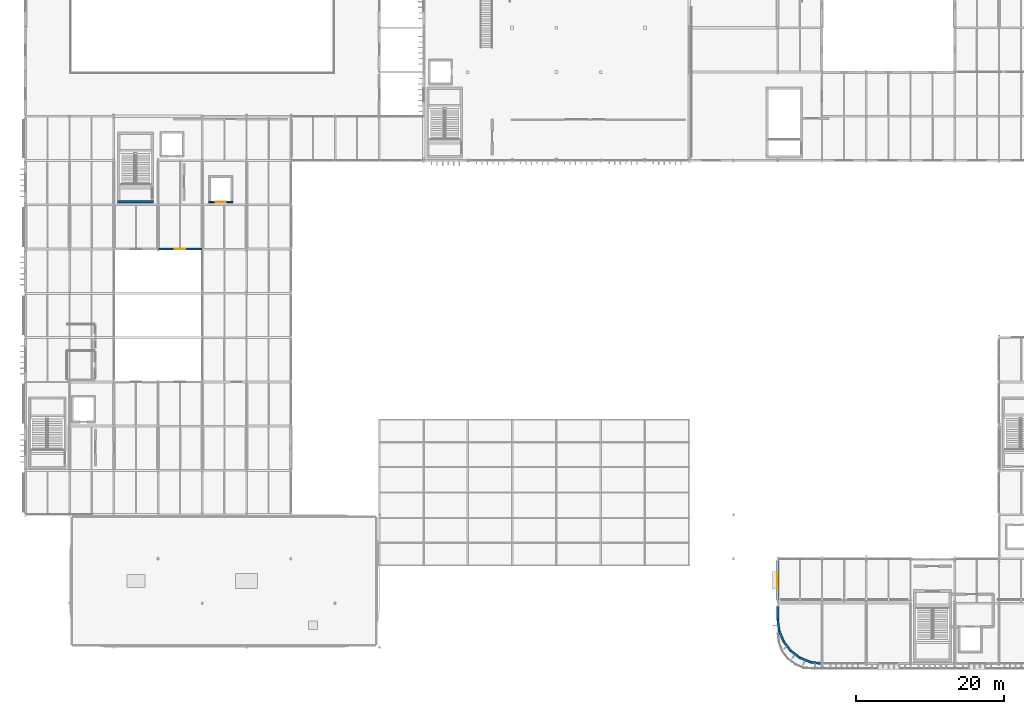
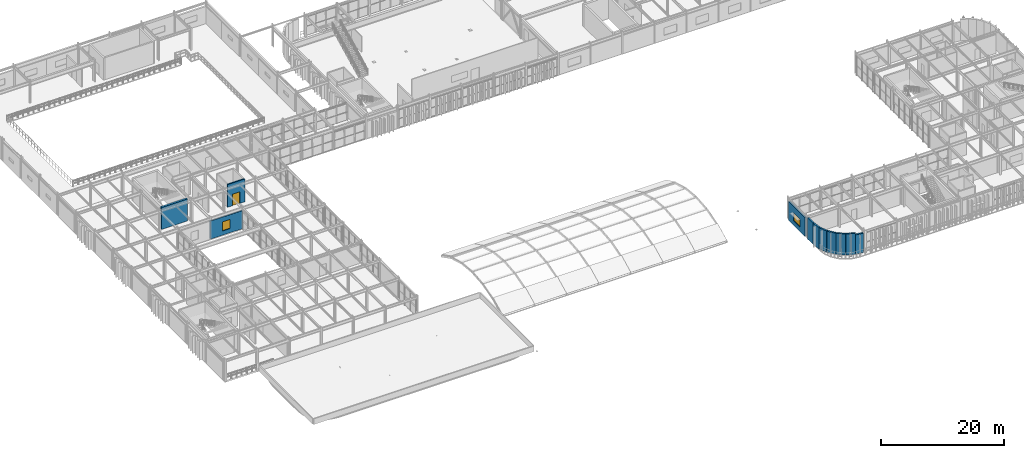
# One storey, part 56 of 84: 11 walls, 2 windows, 1 door, 3 openings.
"""IFC4 building model written with IfcOpenShell, lengths in metres."""

from ifc_helpers import new_model, si_unit, direction, frame, frame_2d, origin, place, context, subcontext, project, spatial, rectangle, extrude, material, layer, layer_set, type_object, element, fill, save


model = new_model("IFC4")

# Units and contexts
model_context = context("Model", 3, precision=1e-05, world=origin(), true_north=direction((0.0, 1.0)))
body_context = subcontext(model_context, "Body", "Model", "MODEL_VIEW")
ifc_project = project(units=[si_unit("LENGTHUNIT", "METRE"), si_unit("AREAUNIT", "SQUARE_METRE"), si_unit("VOLUMEUNIT", "CUBIC_METRE"), si_unit("PLANEANGLEUNIT", "RADIAN"), si_unit("MASSUNIT", "GRAM", prefix="KILO")], contexts=[model_context])

# Site, building, storey
site_placement = place(None, origin())
site = spatial("IfcSite", under=ifc_project, at=site_placement, CompositionType="ELEMENT")
building_placement = place(site_placement, origin())
building = spatial("IfcBuilding", under=site, at=building_placement, Name="Varnakota Square Police Headquarters", CompositionType="ELEMENT")
storey_placement = place(building_placement, frame((0.0, 0.0, 13.5)))
storey = spatial("IfcBuildingStorey", under=building, at=storey_placement, Name="L03", CompositionType="ELEMENT", Elevation=13.5)

# Wall, opening, door
ifc_material_1 = material(Name="Concrete M40", Category="concrete")
ifc_layer_1 = layer(ifc_material_1, 0.22998046875, Name="Concrete M40")
ifc_layer_set_1 = layer_set([ifc_layer_1], Name="Concrete M40")
wall_type_1 = type_object("IfcWallType", Name="WL-CORE-230", PredefinedType="SHEAR", material=ifc_layer_set_1)
wall_1_placement = place(storey_placement, frame((30.885009765625, 63.39990234375, 0.0), z_axis=(0.0, 0.0, 1.0), x_axis=(1.0, 0.0, 0.0)))
wall_1 = element("IfcWall", 1, at=wall_1_placement, inside=storey, type_object=wall_type_1, Name="Lift shaft wall LF-G1 L03 S", PredefinedType="SHEAR", context=body_context, shape_type="SweptSolid", body=[
    extrude(rectangle(XDim=3.22998046875, YDim=0.22998046875, at=frame_2d((1.614990234375, 0.0))), origin(), (0.0, 0.0, 1.0), 4.5),
])
opening_1_placement = place(wall_1_placement, frame((0.9150390625, 0.0, 0.0)))
opening_1 = element("IfcOpeningElement", 2, at=opening_1_placement, cuts=wall_1, Name="Opening LD048", PredefinedType="OPENING", context=body_context, shape_type="SweptSolid", body=[
    extrude(rectangle(XDim=1.39990234375, YDim=2.300048828125, at=frame_2d((0.699951171875, 1.14990234375))), frame((0.0, 0.125, 0.0), z_axis=(0.0, -1.0, 0.0), x_axis=(1.0, 0.0, 0.0)), (0.0, 0.0, 1.0), 0.25),
])
ifc_material_2 = material(Name="Heavy-Gauge Brushed Stainless Steel", Category="steel")
door_type = type_object("IfcDoorType", Name="DR-LD-GDS", OperationType="NOTDEFINED", PredefinedType="DOOR", material=ifc_material_2)
door_placement = place(opening_1_placement, origin())
door = element("IfcDoor", 3, at=door_placement, inside=storey, type_object=door_type, Name="Lift sliding landing door LD048", OperationType="SLIDING_TO_LEFT", OverallHeight=2.300048828125, OverallWidth=1.39990234375, PredefinedType="DOOR", context=body_context, shape_type="SweptSolid", body=[
    extrude(rectangle(XDim=1.39990234375, YDim=2.300048828125, at=frame_2d((0.699951171875, 1.14990234375))), frame((0.0, 0.02490234375, 0.0), z_axis=(0.0, -1.0, 0.0), x_axis=(1.0, 0.0, 0.0)), (0.0, 0.0, 1.0), 0.050048828125),
])
fill(opening_1, door)

# Wall
ifc_material_3 = material(Name="Concrete M50", Category="concrete")
ifc_layer_2 = layer(ifc_material_3, 0.35009765625, Name="Concrete M50")
ifc_layer_set_2 = layer_set([ifc_layer_2], Name="Concrete M50")
wall_type_2 = type_object("IfcWallType", Name="WL-CORE-350", PredefinedType="SHEAR", material=ifc_layer_set_2)
wall_2_placement = place(storey_placement, frame((18.52490234375, 63.39990234375, 0.0), z_axis=(0.0, 0.0, 1.0), x_axis=(1.0, 0.0, 0.0)))
element("IfcWall", 4, at=wall_2_placement, inside=storey, type_object=wall_type_2, Name="Core C5 shear wall L03 S", PredefinedType="SHEAR", context=body_context, shape_type="SweptSolid", body=[
    extrude(rectangle(XDim=4.85009765625, YDim=0.35009765625, at=frame_2d((2.425048828125, 0.0))), origin(), (0.0, 0.0, 1.0), 4.360107421875),
])

# Wall, opening, window
ifc_layer_3 = layer(ifc_material_1, 0.239990234375, Name="Concrete M40")
ifc_layer_set_3 = layer_set([ifc_layer_3], Name="Concrete M40")
wall_type_3 = type_object("IfcWallType", Name="WL-EXT-240", PredefinedType="SOLIDWALL", material=ifc_layer_set_3)
wall_3_placement = place(storey_placement, frame((24.0, 57.0, 0.0), z_axis=(0.0, 0.0, 1.0), x_axis=(1.0, 0.0, 0.0)))
wall_3 = element("IfcWall", 5, at=wall_3_placement, inside=storey, type_object=wall_type_3, Name="Court exterior wall EW-L03-0439", PredefinedType="SOLIDWALL", context=body_context, shape_type="SweptSolid", body=[
    extrude(rectangle(XDim=5.949951171875, YDim=0.239990234375, at=frame_2d((2.97509765625, 0.0))), origin(), (0.0, 0.0, 1.0), 3.590087890625),
])
opening_2_placement = place(wall_3_placement, frame((2.27490234375, 0.0, 0.85009765625)))
opening_2 = element("IfcOpeningElement", 6, at=opening_2_placement, cuts=wall_3, Name="Opening W16", PredefinedType="OPENING", context=body_context, shape_type="SweptSolid", body=[
    extrude(rectangle(XDim=1.39990234375, YDim=1.800048828125, at=frame_2d((0.699951171875, 0.89990234375))), frame((0.0, 0.1298828125, 0.0), z_axis=(0.0, -1.0, 0.0), x_axis=(1.0, 0.0, 0.0)), (0.0, 0.0, 1.0), 0.260009765625),
])
ifc_material_4 = material(Name="Thermally Broken Aluminium Double-Glazed Window", Category="aluminium")
window_type_1 = type_object("IfcWindowType", Name="WIN-16", PartitioningType="SINGLE_PANEL", PredefinedType="WINDOW", material=ifc_material_4)
window_1_placement = place(opening_2_placement, origin())
window_1 = element("IfcWindow", 7, at=window_1_placement, inside=storey, type_object=window_type_1, Name="Window WN-L03-0095", OverallHeight=1.800048828125, OverallWidth=1.39990234375, PartitioningType="SINGLE_PANEL", PredefinedType="WINDOW", context=body_context, shape_type="SweptSolid", body=[
    extrude(rectangle(XDim=1.39990234375, YDim=1.800048828125, at=frame_2d((0.699951171875, 0.89990234375))), frame((0.0, 0.030029296875, 0.0), z_axis=(0.0, -1.0, 0.0), x_axis=(1.0, 0.0, 0.0)), (0.0, 0.0, 1.0), 0.06005859375),
])
fill(opening_2, window_1)

# Wall
ifc_material_5 = material(Name="Precast concrete M40", Category="concrete")
ifc_layer_4 = layer(ifc_material_5, 0.300048828125, Name="Precast concrete M40")
ifc_layer_set_4 = layer_set([ifc_layer_4], Name="Precast concrete M40")
wall_type_4 = type_object("IfcWallType", Name="WL-EXT-300", PredefinedType="SOLIDWALL", material=ifc_layer_set_4)
wall_4_placement = place(storey_placement, frame((108.0, 6.800048828125, 0.0), z_axis=(0.0, 0.0, 1.0), x_axis=(0.0, 1.0, 0.0)))
element("IfcWall", 8, at=wall_4_placement, inside=storey, type_object=wall_type_4, Name="Exterior wall EW-L03-0223", PredefinedType="SOLIDWALL", context=body_context, shape_type="SweptSolid", body=[
    extrude(rectangle(XDim=1.7958984375, YDim=0.300048828125, at=frame_2d((0.89794921875, 0.0))), origin(), (0.0, 0.0, 1.0), 4.195068359375),
])

# Wall, opening, window
wall_5_placement = place(storey_placement, frame((108.0, 9.404052734375, 0.0), z_axis=(0.0, 0.0, 1.0), x_axis=(0.0, 1.0, 0.0)))
wall_5 = element("IfcWall", 9, at=wall_5_placement, inside=storey, type_object=wall_type_4, Name="Exterior wall EW-L03-0224", PredefinedType="SOLIDWALL", context=body_context, shape_type="SweptSolid", body=[
    extrude(rectangle(XDim=5.366943359375, YDim=0.300048828125, at=frame_2d((2.68359375, 0.0))), origin(), (0.0, 0.0, 1.0), 3.68994140625),
])
opening_3_placement = place(wall_5_placement, frame((1.633544921875, 0.0, 0.89990234375)))
opening_3 = element("IfcOpeningElement", 10, at=opening_3_placement, cuts=wall_5, Name="Opening W08", PredefinedType="OPENING", context=body_context, shape_type="SweptSolid", body=[
    extrude(rectangle(XDim=2.10009765625, YDim=1.5, at=frame_2d((1.050048828125, 0.75))), frame((0.0, 0.159912109375, 0.0), z_axis=(0.0, -1.0, 0.0), x_axis=(1.0, 0.0, 0.0)), (0.0, 0.0, 1.0), 0.320068359375),
])
window_type_2 = type_object("IfcWindowType", Name="WIN-08", PartitioningType="SINGLE_PANEL", PredefinedType="WINDOW", material=ifc_material_4)
window_2_placement = place(opening_3_placement, origin())
window_2 = element("IfcWindow", 11, at=window_2_placement, inside=storey, type_object=window_type_2, Name="Window WN-L03-0036", OverallHeight=1.5, OverallWidth=2.10009765625, PartitioningType="SINGLE_PANEL", PredefinedType="WINDOW", context=body_context, shape_type="SweptSolid", body=[
    extrude(rectangle(XDim=2.10009765625, YDim=1.5, at=frame_2d((1.050048828125, 0.75))), frame((0.0, 0.030029296875, 0.0), z_axis=(0.0, -1.0, 0.0), x_axis=(1.0, 0.0, 0.0)), (0.0, 0.0, 1.0), 0.06005859375),
])
fill(opening_3, window_2)

# Walls
wall_6_placement = place(storey_placement, frame((108.0, 6.800048828125, 0.0), z_axis=(0.0, 0.0, 1.0), x_axis=(0.130458544462, -0.991453765022, 0.0)))
element("IfcWall", 12, at=wall_6_placement, inside=storey, type_object=wall_type_4, Name="Exterior wall EW-L03-0228", PredefinedType="SOLIDWALL", context=body_context, shape_type="SweptSolid", body=[
    extrude(rectangle(XDim=1.56640625, YDim=0.300048828125, at=frame_2d((0.783203125, 0.0))), origin(), (0.0, 0.0, 1.0), 4.195068359375),
])
wall_7_placement = place(storey_placement, frame((108.204345703125, 5.2470703125, 0.0), z_axis=(0.0, 0.0, 1.0), x_axis=(0.382677606907, -0.923881945474, 0.0)))
element("IfcWall", 13, at=wall_7_placement, inside=storey, type_object=wall_type_4, Name="Exterior wall EW-L03-0229", PredefinedType="SOLIDWALL", context=body_context, shape_type="SweptSolid", body=[
    extrude(rectangle(XDim=1.566162109375, YDim=0.300048828125, at=frame_2d((0.783203125, 0.0))), origin(), (0.0, 0.0, 1.0), 4.195068359375),
])
for number, where, z_axis, x_axis, name in (
    (14, (108.8037109375, 3.800048828125, 0.0), (0.0, 0.0, 1.0), (0.608791411033, -0.793330333374, 0.0), "Exterior wall EW-L03-0230"),
    (15, (109.75732421875, 2.557373046875, 0.0), (0.0, 0.0, 1.0), (0.793330333374, -0.608791411033, 0.0), "Exterior wall EW-L03-0231"),
):
    element("IfcWall", number, at=place(storey_placement, frame(where, z_axis=z_axis, x_axis=x_axis)), inside=storey, type_object=wall_type_4, Name=name, PredefinedType="SOLIDWALL", context=body_context, shape_type="SweptSolid", body=[
        extrude(rectangle(XDim=1.56640625, YDim=0.300048828125, at=frame_2d((0.783203125, 0.0))), origin(), (0.0, 0.0, 1.0), 4.195068359375),
    ])
wall_8_placement = place(storey_placement, frame((111.0, 1.603759765625, 0.0), z_axis=(0.0, 0.0, 1.0), x_axis=(0.923881945474, -0.382677606907, 0.0)))
element("IfcWall", 16, at=wall_8_placement, inside=storey, type_object=wall_type_4, Name="Exterior wall EW-L03-0232", PredefinedType="SOLIDWALL", context=body_context, shape_type="SweptSolid", body=[
    extrude(rectangle(XDim=1.566162109375, YDim=0.300048828125, at=frame_2d((0.783203125, 0.0))), origin(), (0.0, 0.0, 1.0), 4.195068359375),
])
wall_9_placement = place(storey_placement, frame((112.447021484375, 1.00439453125, 0.0), z_axis=(0.0, 0.0, 1.0), x_axis=(0.991436457658, -0.130590008906, 0.0)))
element("IfcWall", 17, at=wall_9_placement, inside=storey, type_object=wall_type_4, Name="Exterior wall EW-L03-0233", PredefinedType="SOLIDWALL", context=body_context, shape_type="SweptSolid", body=[
    extrude(rectangle(XDim=1.3515625, YDim=0.300048828125, at=frame_2d((0.67578125, 0.0))), origin(), (0.0, 0.0, 1.0), 3.8662109375),
])

save(model, "model.ifc")
